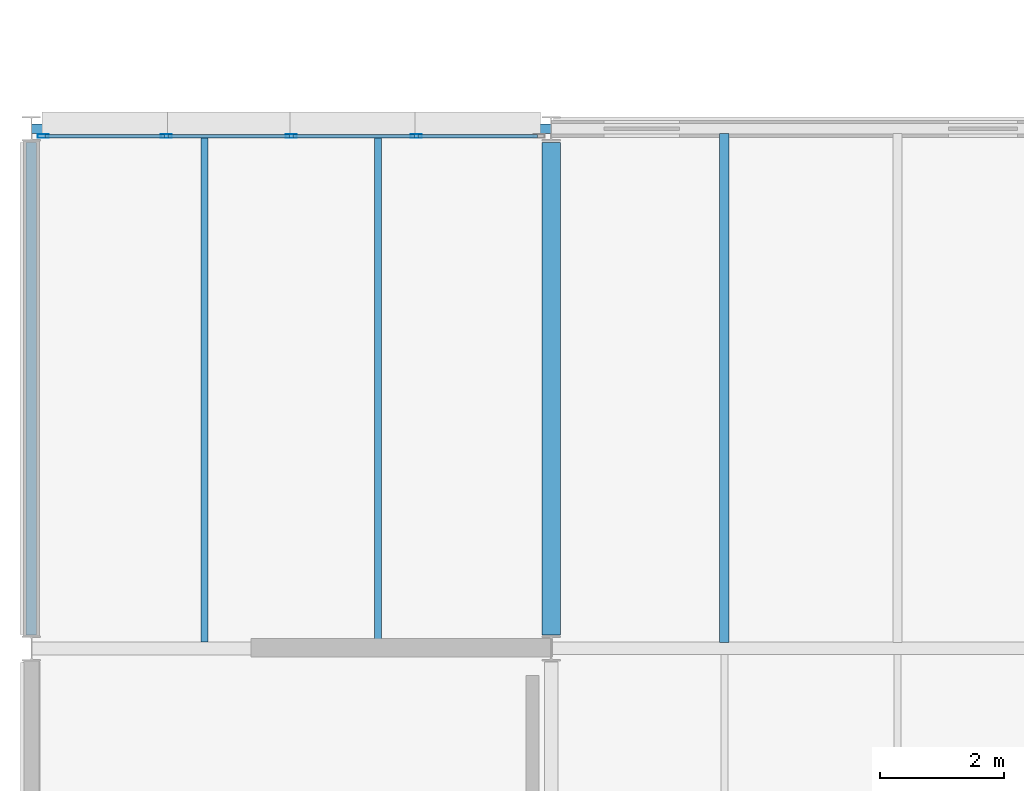
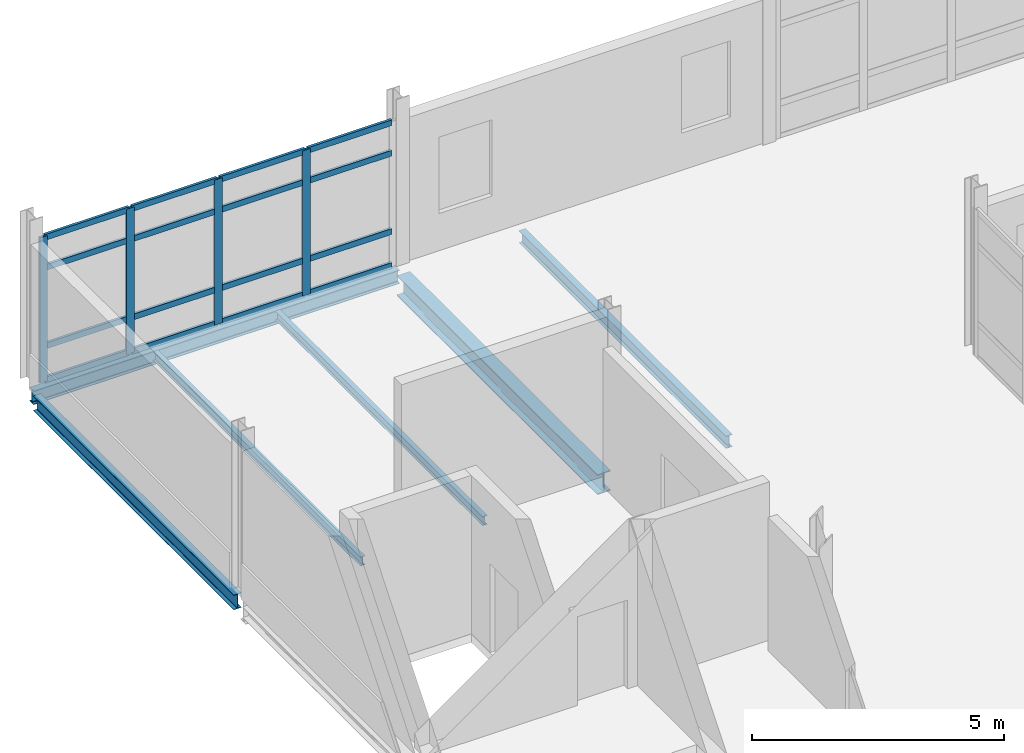
# One storey, part 44 of 151: 20 members, 6 beams, 1 element without a shape of its own.
"""IFC4 building model written with IfcOpenShell, lengths in metres."""

from ifc_helpers import new_model, si_unit, direction, frame, origin, origin_2d, place, context, subcontext, project, spatial, hollow_rectangle, i_section, extrude, material, material_profile, profile_set, type_object, element, aggregate, save


model = new_model("IFC4")

# Units and contexts
model_context = context("Model", 3, precision=1e-05, world=origin(), true_north=direction((0.0, 1.0)))
body_context = subcontext(model_context, "Body", "Model", "MODEL_VIEW")
ifc_project = project(units=[si_unit("LENGTHUNIT", "METRE"), si_unit("AREAUNIT", "SQUARE_METRE"), si_unit("VOLUMEUNIT", "CUBIC_METRE"), si_unit("PLANEANGLEUNIT", "RADIAN"), si_unit("MASSUNIT", "GRAM", prefix="KILO")], contexts=[model_context])

# Site, building, storey
site_placement = place(None, origin())
site = spatial("IfcSite", under=ifc_project, at=site_placement, CompositionType="ELEMENT")
building_placement = place(site_placement, origin())
building = spatial("IfcBuilding", under=site, at=building_placement, Name="Mersafa Astral City Hall", CompositionType="ELEMENT")
storey_placement = place(building_placement, frame((0.0, 0.0, 9.89990234375)))
storey = spatial("IfcBuildingStorey", under=building, at=storey_placement, Name="L02", CompositionType="ELEMENT", Elevation=9.89990234375)

# Curtain wall, members
ifc_material_1 = material(Name="Anodised bronze aluminium framing", Category="aluminium")
curtain_wall_type = type_object("IfcCurtainWallType", Name="ENV-CW-2", PredefinedType="USERDEFINED", material=ifc_material_1)
curtain_wall_placement = place(storey_placement, origin())
curtain_wall = element("IfcCurtainWall", 1, at=curtain_wall_placement, inside=storey, type_object=curtain_wall_type, Name="L02 Unitised solar curtain wall 133", ObjectType="UNITISED CURTAIN WALL", PredefinedType="USERDEFINED")
ifc_material_profile_1 = material_profile(ifc_material_1, hollow_rectangle(XDim=0.06005859375, YDim=0.179931640625, WallThickness=0.00390625, at=origin_2d()), Name="RHS 60x180x4")
ifc_profile_set_1 = profile_set([ifc_material_profile_1], Name="Anodised bronze aluminium framing")
member_type_1 = type_object("IfcMemberType", Name="ENV-CW-MUL-1", PredefinedType="MULLION", material=ifc_profile_set_1)
member_1_placement = place(storey_placement, frame((14.618896484375, 100.679931640625, -0.001953125), z_axis=(0.0, 0.0, 1.0), x_axis=(0.0, -1.0, 0.0)))
member_1 = element("IfcMember", 2, at=member_1_placement, type_object=member_type_1, Name="CW-2 mullion 2", PredefinedType="MULLION", context=body_context, shape_type="SweptSolid", body=[
    extrude(hollow_rectangle(XDim=0.06005859375, YDim=0.179931640625, WallThickness=0.00390625, at=origin_2d()), origin(), (0.0, 0.0, 1.0), 3.51904296875),
])
member_2_placement = place(storey_placement, frame((12.60009765625, 100.679931640625, -0.001953125), z_axis=(0.0, 0.0, 1.0), x_axis=(0.0, -1.0, 0.0)))
member_2 = element("IfcMember", 3, at=member_2_placement, type_object=member_type_1, Name="CW-2 mullion 3", PredefinedType="MULLION", context=body_context, shape_type="SweptSolid", body=[
    extrude(hollow_rectangle(XDim=0.06005859375, YDim=0.179931640625, WallThickness=0.00390625, at=origin_2d()), origin(), (0.0, 0.0, 1.0), 3.51904296875),
])
member_3_placement = place(storey_placement, frame((10.5810546875, 100.679931640625, -0.001953125), z_axis=(0.0, 0.0, 1.0), x_axis=(0.0, -1.0, 0.0)))
member_3 = element("IfcMember", 4, at=member_3_placement, type_object=member_type_1, Name="CW-2 mullion 4", PredefinedType="MULLION", context=body_context, shape_type="SweptSolid", body=[
    extrude(hollow_rectangle(XDim=0.06005859375, YDim=0.179931640625, WallThickness=0.00390625, at=origin_2d()), origin(), (0.0, 0.0, 1.0), 3.51904296875),
])
member_4_placement = place(storey_placement, frame((8.592041015625, 100.679931640625, -0.001953125), z_axis=(0.0, 0.0, 1.0), x_axis=(0.0, -1.0, 0.0)))
member_4 = element("IfcMember", 5, at=member_4_placement, type_object=member_type_1, Name="CW-2 mullion 5", PredefinedType="MULLION", context=body_context, shape_type="SweptSolid", body=[
    extrude(hollow_rectangle(XDim=0.06005859375, YDim=0.179931640625, WallThickness=0.00390625, at=origin_2d()), origin(), (0.0, 0.0, 1.0), 3.51904296875),
])
ifc_material_profile_2 = material_profile(ifc_material_1, hollow_rectangle(XDim=0.06005859375, YDim=0.139892578125, WallThickness=0.00390625, at=origin_2d()), Name="RHS 60x140x4")
ifc_profile_set_2 = profile_set([ifc_material_profile_2], Name="Anodised bronze aluminium framing")
member_type_2 = type_object("IfcMemberType", Name="ENV-CW-TRN-1", PredefinedType="USERDEFINED", material=ifc_profile_set_2)
member_5_placement = place(storey_placement, frame((16.577880859375, 100.679931640625, 0.028076171875), z_axis=(-1.0, 0.0, 0.0), x_axis=(0.0, -1.0, 0.0)))
member_5 = element("IfcMember", 6, at=member_5_placement, type_object=member_type_2, Name="CW-2 transom 1.1", ObjectType="TRANSOM", PredefinedType="USERDEFINED", context=body_context, shape_type="SweptSolid", body=[
    extrude(hollow_rectangle(XDim=0.06005859375, YDim=0.139892578125, WallThickness=0.00390625, at=origin_2d()), origin(), (0.0, 0.0, 1.0), 1.928955078125),
])
member_6_placement = place(storey_placement, frame((16.577880859375, 100.679931640625, 0.85009765625), z_axis=(-1.0, 0.0, 0.0), x_axis=(0.0, -1.0, 0.0)))
member_6 = element("IfcMember", 7, at=member_6_placement, type_object=member_type_2, Name="CW-2 transom 1.2", ObjectType="TRANSOM", PredefinedType="USERDEFINED", context=body_context, shape_type="SweptSolid", body=[
    extrude(hollow_rectangle(XDim=0.06005859375, YDim=0.139892578125, WallThickness=0.00390625, at=origin_2d()), origin(), (0.0, 0.0, 1.0), 1.928955078125),
])
member_7_placement = place(storey_placement, frame((16.577880859375, 100.679931640625, 2.75), z_axis=(-1.0, 0.0, 0.0), x_axis=(0.0, -1.0, 0.0)))
member_7 = element("IfcMember", 8, at=member_7_placement, type_object=member_type_2, Name="CW-2 transom 1.3", ObjectType="TRANSOM", PredefinedType="USERDEFINED", context=body_context, shape_type="SweptSolid", body=[
    extrude(hollow_rectangle(XDim=0.06005859375, YDim=0.139892578125, WallThickness=0.00390625, at=origin_2d()), origin(), (0.0, 0.0, 1.0), 1.928955078125),
])
member_8_placement = place(storey_placement, frame((16.577880859375, 100.679931640625, 3.487060546875), z_axis=(-1.0, 0.0, 0.0), x_axis=(0.0, -1.0, 0.0)))
member_8 = element("IfcMember", 9, at=member_8_placement, type_object=member_type_2, Name="CW-2 transom 1.4", ObjectType="TRANSOM", PredefinedType="USERDEFINED", context=body_context, shape_type="SweptSolid", body=[
    extrude(hollow_rectangle(XDim=0.06005859375, YDim=0.139892578125, WallThickness=0.00390625, at=origin_2d()), origin(), (0.0, 0.0, 1.0), 1.928955078125),
])
member_9_placement = place(storey_placement, frame((14.589111328125, 100.679931640625, 0.028076171875), z_axis=(-1.0, 0.0, 0.0), x_axis=(0.0, -1.0, 0.0)))
member_9 = element("IfcMember", 10, at=member_9_placement, type_object=member_type_2, Name="CW-2 transom 2.1", ObjectType="TRANSOM", PredefinedType="USERDEFINED", context=body_context, shape_type="SweptSolid", body=[
    extrude(hollow_rectangle(XDim=0.06005859375, YDim=0.139892578125, WallThickness=0.00390625, at=origin_2d()), origin(), (0.0, 0.0, 1.0), 1.959228515625),
])
member_10_placement = place(storey_placement, frame((14.589111328125, 100.679931640625, 0.85009765625), z_axis=(-1.0, 0.0, 0.0), x_axis=(0.0, -1.0, 0.0)))
member_10 = element("IfcMember", 11, at=member_10_placement, type_object=member_type_2, Name="CW-2 transom 2.2", ObjectType="TRANSOM", PredefinedType="USERDEFINED", context=body_context, shape_type="SweptSolid", body=[
    extrude(hollow_rectangle(XDim=0.06005859375, YDim=0.139892578125, WallThickness=0.00390625, at=origin_2d()), origin(), (0.0, 0.0, 1.0), 1.959228515625),
])
member_11_placement = place(storey_placement, frame((14.589111328125, 100.679931640625, 2.75), z_axis=(-1.0, 0.0, 0.0), x_axis=(0.0, -1.0, 0.0)))
member_11 = element("IfcMember", 12, at=member_11_placement, type_object=member_type_2, Name="CW-2 transom 2.3", ObjectType="TRANSOM", PredefinedType="USERDEFINED", context=body_context, shape_type="SweptSolid", body=[
    extrude(hollow_rectangle(XDim=0.06005859375, YDim=0.139892578125, WallThickness=0.00390625, at=origin_2d()), origin(), (0.0, 0.0, 1.0), 1.959228515625),
])
member_12_placement = place(storey_placement, frame((14.589111328125, 100.679931640625, 3.487060546875), z_axis=(-1.0, 0.0, 0.0), x_axis=(0.0, -1.0, 0.0)))
member_12 = element("IfcMember", 13, at=member_12_placement, type_object=member_type_2, Name="CW-2 transom 2.4", ObjectType="TRANSOM", PredefinedType="USERDEFINED", context=body_context, shape_type="SweptSolid", body=[
    extrude(hollow_rectangle(XDim=0.06005859375, YDim=0.139892578125, WallThickness=0.00390625, at=origin_2d()), origin(), (0.0, 0.0, 1.0), 1.959228515625),
])
member_13_placement = place(storey_placement, frame((12.570068359375, 100.679931640625, 0.028076171875), z_axis=(-1.0, 0.0, 0.0), x_axis=(0.0, -1.0, 0.0)))
member_13 = element("IfcMember", 14, at=member_13_placement, type_object=member_type_2, Name="CW-2 transom 3.1", ObjectType="TRANSOM", PredefinedType="USERDEFINED", context=body_context, shape_type="SweptSolid", body=[
    extrude(hollow_rectangle(XDim=0.06005859375, YDim=0.139892578125, WallThickness=0.00390625, at=origin_2d()), origin(), (0.0, 0.0, 1.0), 1.958984375),
])
member_14_placement = place(storey_placement, frame((12.570068359375, 100.679931640625, 0.85009765625), z_axis=(-1.0, 0.0, 0.0), x_axis=(0.0, -1.0, 0.0)))
member_14 = element("IfcMember", 15, at=member_14_placement, type_object=member_type_2, Name="CW-2 transom 3.2", ObjectType="TRANSOM", PredefinedType="USERDEFINED", context=body_context, shape_type="SweptSolid", body=[
    extrude(hollow_rectangle(XDim=0.06005859375, YDim=0.139892578125, WallThickness=0.00390625, at=origin_2d()), origin(), (0.0, 0.0, 1.0), 1.958984375),
])
member_15_placement = place(storey_placement, frame((12.570068359375, 100.679931640625, 2.75), z_axis=(-1.0, 0.0, 0.0), x_axis=(0.0, -1.0, 0.0)))
member_15 = element("IfcMember", 16, at=member_15_placement, type_object=member_type_2, Name="CW-2 transom 3.3", ObjectType="TRANSOM", PredefinedType="USERDEFINED", context=body_context, shape_type="SweptSolid", body=[
    extrude(hollow_rectangle(XDim=0.06005859375, YDim=0.139892578125, WallThickness=0.00390625, at=origin_2d()), origin(), (0.0, 0.0, 1.0), 1.958984375),
])
member_16_placement = place(storey_placement, frame((12.570068359375, 100.679931640625, 3.487060546875), z_axis=(-1.0, 0.0, 0.0), x_axis=(0.0, -1.0, 0.0)))
member_16 = element("IfcMember", 17, at=member_16_placement, type_object=member_type_2, Name="CW-2 transom 3.4", ObjectType="TRANSOM", PredefinedType="USERDEFINED", context=body_context, shape_type="SweptSolid", body=[
    extrude(hollow_rectangle(XDim=0.06005859375, YDim=0.139892578125, WallThickness=0.00390625, at=origin_2d()), origin(), (0.0, 0.0, 1.0), 1.958984375),
])
member_17_placement = place(storey_placement, frame((10.551025390625, 100.679931640625, 0.028076171875), z_axis=(-1.0, 0.0, 0.0), x_axis=(0.0, -1.0, 0.0)))
member_17 = element("IfcMember", 18, at=member_17_placement, type_object=member_type_2, Name="CW-2 transom 4.1", ObjectType="TRANSOM", PredefinedType="USERDEFINED", context=body_context, shape_type="SweptSolid", body=[
    extrude(hollow_rectangle(XDim=0.06005859375, YDim=0.139892578125, WallThickness=0.00390625, at=origin_2d()), origin(), (0.0, 0.0, 1.0), 1.928955078125),
])
member_18_placement = place(storey_placement, frame((10.551025390625, 100.679931640625, 0.85009765625), z_axis=(-1.0, 0.0, 0.0), x_axis=(0.0, -1.0, 0.0)))
member_18 = element("IfcMember", 19, at=member_18_placement, type_object=member_type_2, Name="CW-2 transom 4.2", ObjectType="TRANSOM", PredefinedType="USERDEFINED", context=body_context, shape_type="SweptSolid", body=[
    extrude(hollow_rectangle(XDim=0.06005859375, YDim=0.139892578125, WallThickness=0.00390625, at=origin_2d()), origin(), (0.0, 0.0, 1.0), 1.928955078125),
])
member_19_placement = place(storey_placement, frame((10.551025390625, 100.679931640625, 2.75), z_axis=(-1.0, 0.0, 0.0), x_axis=(0.0, -1.0, 0.0)))
member_19 = element("IfcMember", 20, at=member_19_placement, type_object=member_type_2, Name="CW-2 transom 4.3", ObjectType="TRANSOM", PredefinedType="USERDEFINED", context=body_context, shape_type="SweptSolid", body=[
    extrude(hollow_rectangle(XDim=0.06005859375, YDim=0.139892578125, WallThickness=0.00390625, at=origin_2d()), origin(), (0.0, 0.0, 1.0), 1.928955078125),
])
member_20_placement = place(storey_placement, frame((10.551025390625, 100.679931640625, 3.487060546875), z_axis=(-1.0, 0.0, 0.0), x_axis=(0.0, -1.0, 0.0)))
member_20 = element("IfcMember", 21, at=member_20_placement, type_object=member_type_2, Name="CW-2 transom 4.4", ObjectType="TRANSOM", PredefinedType="USERDEFINED", context=body_context, shape_type="SweptSolid", body=[
    extrude(hollow_rectangle(XDim=0.06005859375, YDim=0.139892578125, WallThickness=0.00390625, at=origin_2d()), origin(), (0.0, 0.0, 1.0), 1.928955078125),
])
aggregate(curtain_wall, [member_1, member_2, member_3, member_4, member_5, member_6, member_7, member_8, member_9, member_10, member_11, member_12, member_13, member_14, member_15, member_16, member_17, member_18, member_19, member_20])

# Beams
ifc_material_2 = material(Name="Steel S355", Category="steel")
ifc_material_profile_3 = material_profile(ifc_material_2, i_section(OverallWidth=0.300048828125, OverallDepth=0.489990234375, WebThickness=0.011962890625, FlangeThickness=0.02294921875, FilletRadius=0.027099609375, at=origin_2d()), Name="HEA 500")
ifc_profile_set_3 = profile_set([ifc_material_profile_3], Name="Steel S355")
beam_type_1 = type_object("IfcBeamType", Name="STR-BM-HEA500", PredefinedType="BEAM", material=ifc_profile_set_3)
beam_1_placement = place(storey_placement, frame((16.800048828125, 92.6201171875, -0.44482421875), z_axis=(0.0, 1.0, 0.0), x_axis=(-1.0, 0.0, 0.0)))
element("IfcBeam", 22, at=beam_1_placement, inside=storey, type_object=beam_type_1, Name="L02 Primary girder Y 2-11", PredefinedType="BEAM", context=body_context, shape_type="SweptSolid", body=[
    extrude(i_section(OverallWidth=0.300048828125, OverallDepth=0.489990234375, WebThickness=0.011962890625, FlangeThickness=0.02294921875, FilletRadius=0.027099609375, at=origin_2d()), origin(), (0.0, 0.0, 1.0), 7.9599609375),
])
ifc_material_profile_4 = material_profile(ifc_material_2, i_section(OverallWidth=0.110107421875, OverallDepth=0.219970703125, WebThickness=0.005859375, FlangeThickness=0.00927734375, FilletRadius=0.011962890625, at=origin_2d()), Name="IPE 220")
ifc_profile_set_4 = profile_set([ifc_material_profile_4], Name="Steel S355")
beam_type_2 = type_object("IfcBeamType", Name="STR-BM-JOIST-IPE220", PredefinedType="JOIST", material=ifc_profile_set_4)
for number, where, z_axis, x_axis, name in (
    (23, (11.199951171875, 92.5, -0.309814453125), (0.0, 1.0, 0.0), (-1.0, 0.0, 0.0), "L02 Composite secondary floor joist 404"),
    (24, (14.0, 92.5, -0.309814453125), (0.0, 1.0, 0.0), (-1.0, 0.0, 0.0), "L02 Composite secondary floor joist 405"),
):
    element("IfcBeam", number, at=place(storey_placement, frame(where, z_axis=z_axis, x_axis=x_axis)), inside=storey, type_object=beam_type_2, Name=name, PredefinedType="JOIST", context=body_context, shape_type="SweptSolid", body=[
        extrude(i_section(OverallWidth=0.110107421875, OverallDepth=0.219970703125, WebThickness=0.005859375, FlangeThickness=0.00927734375, FilletRadius=0.011962890625, at=origin_2d()), origin(), (0.0, 0.0, 1.0), 8.22509765625),
    ])
ifc_material_profile_5 = material_profile(ifc_material_2, i_section(OverallWidth=0.14990234375, OverallDepth=0.300048828125, WebThickness=0.007080078125, FlangeThickness=0.0107421875, FilletRadius=0.014892578125, at=origin_2d()), Name="IPE 300")
ifc_profile_set_5 = profile_set([ifc_material_profile_5], Name="Steel S355")
beam_type_3 = type_object("IfcBeamType", Name="STR-BM-JOIST-IPE300", PredefinedType="JOIST", material=ifc_profile_set_5)
beam_2_placement = place(storey_placement, frame((19.60009765625, 92.4951171875, -0.349853515625), z_axis=(0.0, 1.0, 0.0), x_axis=(-1.0, 0.0, 0.0)))
element("IfcBeam", 25, at=beam_2_placement, inside=storey, type_object=beam_type_3, Name="L02 Composite secondary floor joist 410", PredefinedType="JOIST", context=body_context, shape_type="SweptSolid", body=[
    extrude(i_section(OverallWidth=0.14990234375, OverallDepth=0.300048828125, WebThickness=0.007080078125, FlangeThickness=0.0107421875, FilletRadius=0.014892578125, at=origin_2d()), origin(), (0.0, 0.0, 1.0), 8.224853515625),
])
ifc_material_profile_6 = material_profile(ifc_material_2, i_section(OverallWidth=0.159912109375, OverallDepth=0.330078125, WebThickness=0.007568359375, FlangeThickness=0.011474609375, FilletRadius=0.01806640625, at=origin_2d()), Name="IPE 330")
ifc_profile_set_6 = profile_set([ifc_material_profile_6], Name="Steel S355")
beam_type_4 = type_object("IfcBeamType", Name="STR-BM-SPANDREL-IPE330", PredefinedType="SPANDREL", material=ifc_profile_set_6)
beam_3_placement = place(storey_placement, frame((8.403076171875, 100.800048828125, -0.364990234375), z_axis=(1.0, 0.0, 0.0), x_axis=(0.0, 1.0, 0.0)))
element("IfcBeam", 26, at=beam_3_placement, inside=storey, type_object=beam_type_4, Name="L02 Primary girder X 1-12", PredefinedType="SPANDREL", context=body_context, shape_type="SweptSolid", body=[
    extrude(i_section(OverallWidth=0.159912109375, OverallDepth=0.330078125, WebThickness=0.007568359375, FlangeThickness=0.011474609375, FilletRadius=0.01806640625, at=origin_2d()), origin(), (0.0, 0.0, 1.0), 8.39404296875),
])
ifc_material_profile_7 = material_profile(ifc_material_2, i_section(OverallWidth=0.169921875, OverallDepth=0.360107421875, WebThickness=0.008056640625, FlangeThickness=0.0126953125, FilletRadius=0.01806640625, at=origin_2d()), Name="IPE 360")
ifc_profile_set_7 = profile_set([ifc_material_profile_7], Name="Steel S355")
beam_type_5 = type_object("IfcBeamType", Name="STR-BM-SPANDREL-IPE360", PredefinedType="SPANDREL", material=ifc_profile_set_7)
beam_4_placement = place(storey_placement, frame((8.39990234375, 92.6201171875, -0.3798828125), z_axis=(0.0, 1.0, 0.0), x_axis=(-1.0, 0.0, 0.0)))
element("IfcBeam", 27, at=beam_4_placement, inside=storey, type_object=beam_type_5, Name="L02 Primary girder Y 1-11", PredefinedType="SPANDREL", context=body_context, shape_type="SweptSolid", body=[
    extrude(i_section(OverallWidth=0.169921875, OverallDepth=0.360107421875, WebThickness=0.008056640625, FlangeThickness=0.0126953125, FilletRadius=0.01806640625, at=origin_2d()), origin(), (0.0, 0.0, 1.0), 7.9599609375),
])

save(model, "model.ifc")
